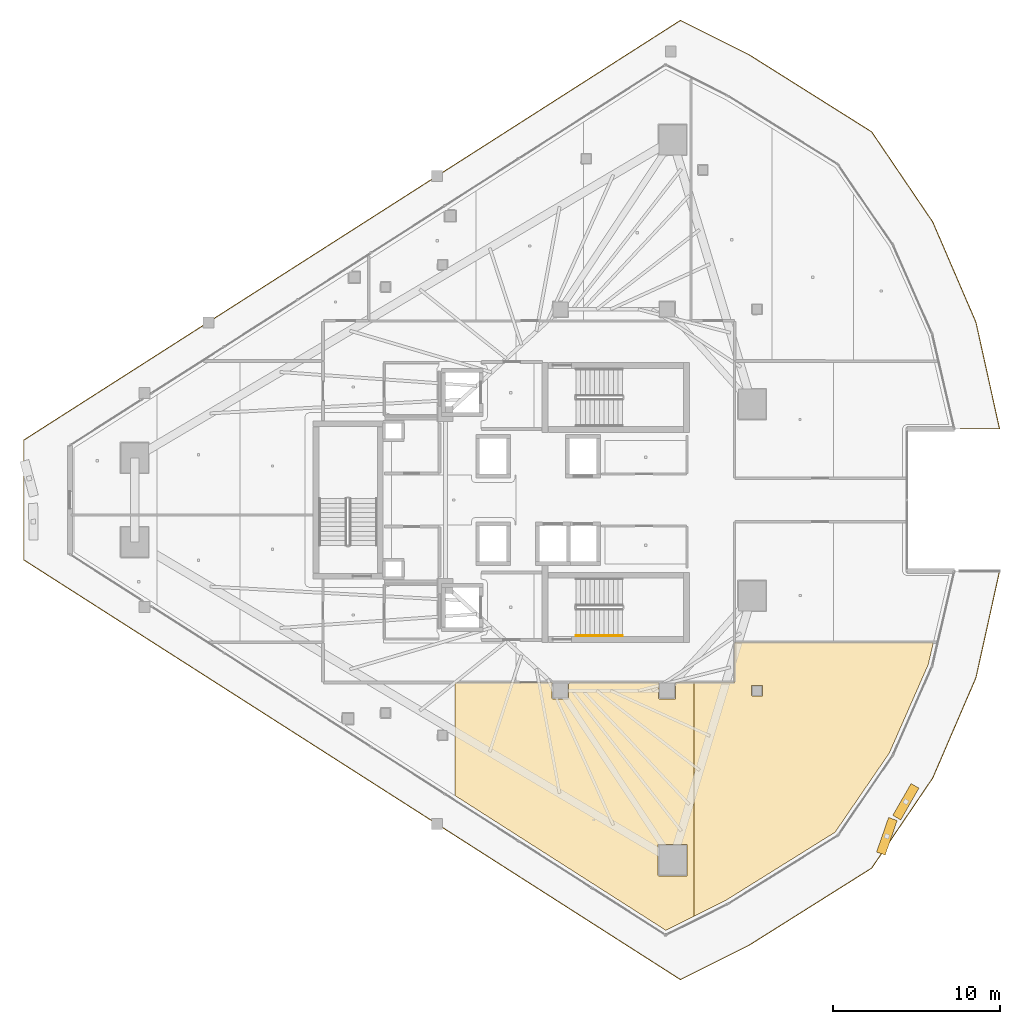
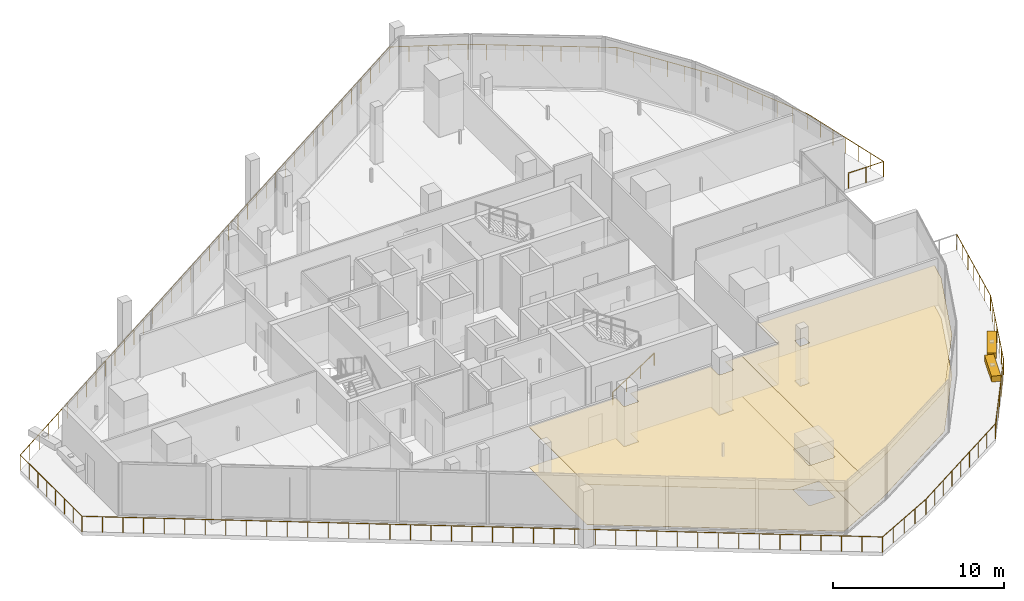
# One storey, part 27 of 30: 4 coverings, 2 railings, 2 shading devices.
"""IFC4 building model written with IfcOpenShell, lengths in metres."""

from ifc_helpers import new_model, si_unit, direction, frame, origin, origin_2d, place, context, subcontext, project, spatial, polyline, rectangle, circle, outline, extrude, material, layer, layer_set, type_object, element, save


model = new_model("IFC4")

# Units and contexts
model_context = context("Model", 3, precision=1e-05, world=origin(), true_north=direction((0.0, 1.0)))
body_context = subcontext(model_context, "Body", "Model", "MODEL_VIEW")
ifc_project = project(units=[si_unit("LENGTHUNIT", "METRE"), si_unit("AREAUNIT", "SQUARE_METRE"), si_unit("VOLUMEUNIT", "CUBIC_METRE"), si_unit("PLANEANGLEUNIT", "RADIAN"), si_unit("MASSUNIT", "GRAM", prefix="KILO")], contexts=[model_context])

# Site, building, storey
site_placement = place(None, origin())
site = spatial("IfcSite", under=ifc_project, at=site_placement, CompositionType="ELEMENT")
building_placement = place(site_placement, origin())
building = spatial("IfcBuilding", under=site, at=building_placement, Name="Qorvath Tower", CompositionType="ELEMENT")
storey_placement = place(building_placement, frame((0.0, 0.0, 217.199951171875)))
storey = spatial("IfcBuildingStorey", under=building, at=storey_placement, Name="L50", CompositionType="ELEMENT", Elevation=217.199951171875)

# Coverings
ifc_material_1 = material(Name="Acoustic mineral fibre ceiling tile", Category="gypsum")
ifc_layer_1 = layer(ifc_material_1, 0.030029296875)
ifc_layer_set_1 = layer_set([ifc_layer_1], Name="COV-CEIL")
covering_type_1 = type_object("IfcCoveringType", Name="COV-CEIL", PredefinedType="CEILING", material=ifc_layer_set_1)
covering_1_placement = place(storey_placement, frame((0.0, 0.0, 2.85009765625)))
element("IfcCovering", 1, at=covering_1_placement, inside=storey, type_object=covering_type_1, Name="L50 Suspended Acoustic Ceiling 020", PredefinedType="CEILING", context=body_context, shape_type="SweptSolid", body=[
    extrude(outline(polyline([(-15.579345703125, -24.994873046875), (-15.579345703125, -10.962890625), (-16.705322265625, -10.962890625), (-16.70751953125, -11.9423828125), (-17.64990234375, -11.9599609375), (-17.7099609375, -11.89990234375), (-17.694580078125, -10.962890625), (-23.105224609375, -10.962890625), (-23.107666015625, -11.9423828125), (-24.050048828125, -11.9599609375), (-24.110107421875, -11.89990234375), (-24.0947265625, -10.962890625), (-29.949951171875, -10.962890625), (-29.949951171875, -17.739501953125), (-17.273193359375, -25.841796875), (-15.579345703125, -24.994873046875)]), holes=[polyline([(-17.756591796875, -22.527099609375), (-17.739013671875, -20.6845703125), (-16.00439453125, -20.6845703125), (-16.00439453125, -22.569580078125), (-17.69677734375, -22.587158203125), (-17.756591796875, -22.527099609375)])]), origin(), (0.0, 0.0, 1.0), 0.030029296875),
])
covering_2_placement = place(storey_placement, frame((0.0, 0.0, 2.85009765625)))
element("IfcCovering", 2, at=covering_2_placement, inside=storey, type_object=covering_type_1, Name="L50 Suspended Acoustic Ceiling 021", PredefinedType="CEILING", context=body_context, shape_type="SweptSolid", body=[
    extrude(outline(polyline([(-13.6796875, -24.044921875), (-7.109619140625, -19.949462890625), (-3.853515625, -15.191162109375), (-1.519287109375, -9.886474609375), (-1.208984375, -8.554931640625), (-13.136962890625, -8.554931640625), (-13.14208984375, -10.962890625), (-15.579345703125, -10.962890625), (-15.579345703125, -24.994873046875), (-13.6796875, -24.044921875)]), holes=[polyline([(-12.135009765625, -11.72509765625), (-12.117431640625, -11.132568359375), (-11.482666015625, -11.132568359375), (-11.482666015625, -11.767333984375), (-12.074951171875, -11.784912109375), (-12.135009765625, -11.72509765625)])]), origin(), (0.0, 0.0, 1.0), 0.030029296875),
])
ifc_material_2 = material(Name="Low-VOC modular carpet tile", Category="textile")
ifc_layer_2 = layer(ifc_material_2, 0.014892578125)
ifc_layer_set_2 = layer_set([ifc_layer_2], Name="COV-FLOOR-CPT")
covering_type_2 = type_object("IfcCoveringType", Name="COV-FLOOR-CPT", PredefinedType="FLOORING", material=ifc_layer_set_2)
covering_3_placement = place(storey_placement, origin())
element("IfcCovering", 3, at=covering_3_placement, inside=storey, type_object=covering_type_2, Name="L50 Floor Finish 020", PredefinedType="FLOORING", context=body_context, shape_type="SweptSolid", body=[
    extrude(outline(polyline([(-15.579345703125, -24.994873046875), (-15.579345703125, -10.962890625), (-16.705322265625, -10.962890625), (-16.70751953125, -11.9423828125), (-17.64990234375, -11.9599609375), (-17.7099609375, -11.89990234375), (-17.694580078125, -10.962890625), (-23.105224609375, -10.962890625), (-23.107666015625, -11.9423828125), (-24.050048828125, -11.9599609375), (-24.110107421875, -11.89990234375), (-24.0947265625, -10.962890625), (-29.949951171875, -10.962890625), (-29.949951171875, -17.739501953125), (-17.273193359375, -25.841796875), (-15.579345703125, -24.994873046875)]), holes=[polyline([(-17.756591796875, -22.527099609375), (-17.739013671875, -20.6845703125), (-16.00439453125, -20.6845703125), (-16.00439453125, -22.569580078125), (-17.69677734375, -22.587158203125), (-17.756591796875, -22.527099609375)])]), origin(), (0.0, 0.0, 1.0), 0.01513671875),
])
covering_4_placement = place(storey_placement, origin())
element("IfcCovering", 4, at=covering_4_placement, inside=storey, type_object=covering_type_2, Name="L50 Floor Finish 021", PredefinedType="FLOORING", context=body_context, shape_type="SweptSolid", body=[
    extrude(outline(polyline([(-13.6796875, -24.044921875), (-7.109619140625, -19.949462890625), (-3.853515625, -15.191162109375), (-1.519287109375, -9.886474609375), (-1.208984375, -8.554931640625), (-13.136962890625, -8.554931640625), (-13.14208984375, -10.962890625), (-15.579345703125, -10.962890625), (-15.579345703125, -24.994873046875), (-13.6796875, -24.044921875)]), holes=[polyline([(-12.135009765625, -11.72509765625), (-12.117431640625, -11.132568359375), (-11.482666015625, -11.132568359375), (-11.482666015625, -11.767333984375), (-12.074951171875, -11.784912109375), (-12.135009765625, -11.72509765625)])]), origin(), (0.0, 0.0, 1.0), 0.01513671875),
])

# Railings
ifc_material_3 = material(Name="Laminated safety glass and stainless steel AISI 316", Category="steel")
railing_type_1 = type_object("IfcRailingType", Name="RL-EXT-GRD", PredefinedType="GUARDRAIL", material=ifc_material_3)
railing_1_placement = place(storey_placement, frame((2.76611328125, -4.27685546875, 0.0)))
element("IfcRailing", 5, at=railing_1_placement, inside=storey, type_object=railing_type_1, Name="Loggia Perimeter Guardrail L50-1.1", PredefinedType="GUARDRAIL", context=body_context, shape_type="SweptSolid", body=[
    extrude(circle(Radius=0.02392578125, at=origin_2d()), frame((0.0, 0.0, 1.09619140625), z_axis=(-0.216105421609, -0.976370035771, 0.0), x_axis=(0.976370035771, -0.216105421609, 0.0)), (0.0, 0.0, 1.0), 6.549072265625),
    extrude(circle(Radius=0.02392578125, at=origin_2d()), frame((-1.415283203125, -6.394287109375, 1.09619140625), z_axis=(-0.395488925139, -0.918470745365, 0.0), x_axis=(0.918470745365, -0.395488925139, 0.0)), (0.0, 0.0, 1.0), 6.549072265625),
    extrude(circle(Radius=0.02392578125, at=origin_2d()), frame((-4.00537109375, -12.409423828125, 1.09619140625), z_axis=(-0.560810228442, -0.827944374747, 0.0), x_axis=(0.827944374747, -0.560810228442, 0.0)), (0.0, 0.0, 1.0), 6.549072265625),
    extrude(circle(Radius=0.02392578125, at=origin_2d()), frame((-7.67822265625, -17.831787109375, 1.09619140625), z_axis=(-0.84649722709, -0.532393129678, 0.0), x_axis=(0.532393129678, -0.84649722709, 0.0)), (0.0, 0.0, 1.0), 8.709228515625),
    extrude(circle(Radius=0.02392578125, at=origin_2d()), frame((-15.050537109375, -22.468505859375, 1.09619140625), z_axis=(-0.894427191, -0.4472135955, 0.0), x_axis=(0.4472135955, -0.894427191, 0.0)), (0.0, 0.0, 1.0), 4.600341796875),
    extrude(circle(Radius=0.02392578125, at=origin_2d()), frame((-19.165283203125, -24.52587890625, 1.09619140625), z_axis=(-0.8426027545, 0.538535605237, 0.0), x_axis=(-0.538535605237, -0.8426027545, 0.0)), (0.0, 0.0, 1.0), 46.798095703125),
    extrude(circle(Radius=0.02392578125, at=origin_2d()), frame((-58.597412109375, 0.676513671875, 1.09619140625), z_axis=(0.0, 1.0, 0.0), x_axis=(-1.0, 0.0, 0.0)), (0.0, 0.0, 1.0), 7.20068359375),
    extrude(circle(Radius=0.02392578125, at=origin_2d()), frame((-58.597412109375, 7.877197265625, 1.09619140625), z_axis=(0.8426027545, 0.538535605237, 0.0), x_axis=(-0.538535605237, 0.8426027545, 0.0)), (0.0, 0.0, 1.0), 46.798095703125),
    extrude(circle(Radius=0.02392578125, at=origin_2d()), frame((-19.165283203125, 33.07958984375, 1.09619140625), z_axis=(0.894427191, -0.4472135955, 0.0), x_axis=(0.4472135955, 0.894427191, 0.0)), (0.0, 0.0, 1.0), 4.600341796875),
    extrude(circle(Radius=0.02392578125, at=origin_2d()), frame((-15.050537109375, 31.022216796875, 1.09619140625), z_axis=(0.84649722709, -0.532393129678, 0.0), x_axis=(0.532393129678, 0.84649722709, 0.0)), (0.0, 0.0, 1.0), 8.709228515625),
    extrude(circle(Radius=0.02392578125, at=origin_2d()), frame((-7.67822265625, 26.385498046875, 1.09619140625), z_axis=(0.560810228442, -0.827944374747, 0.0), x_axis=(0.827944374747, 0.560810228442, 0.0)), (0.0, 0.0, 1.0), 6.549072265625),
    extrude(circle(Radius=0.02392578125, at=origin_2d()), frame((-4.00537109375, 20.963134765625, 1.09619140625), z_axis=(0.395488925139, -0.918470745365, 0.0), x_axis=(0.918470745365, 0.395488925139, 0.0)), (0.0, 0.0, 1.0), 6.549072265625),
    extrude(circle(Radius=0.02392578125, at=origin_2d()), frame((-1.415283203125, 14.947998046875, 1.09619140625), z_axis=(0.216105421609, -0.976370035771, 0.0), x_axis=(0.976370035771, 0.216105421609, 0.0)), (0.0, 0.0, 1.0), 6.549072265625),
    extrude(circle(Radius=0.02392578125, at=origin_2d()), frame((0.0, 8.5537109375, 1.09619140625), z_axis=(-1.0, 0.0, 0.0), x_axis=(0.0, -1.0, 0.0)), (0.0, 0.0, 1.0), 2.366943359375),
    extrude(circle(Radius=0.02099609375, at=origin_2d()), origin(), (0.0, 0.0, 1.0), 1.072021484375),
    extrude(circle(Radius=0.02099609375, at=origin_2d()), frame((-0.23583984375, -1.065673828125, 0.0)), (0.0, 0.0, 1.0), 1.072021484375),
    extrude(circle(Radius=0.02099609375, at=origin_2d()), frame((-0.4716796875, -2.13134765625, 0.0)), (0.0, 0.0, 1.0), 1.072021484375),
    extrude(circle(Radius=0.02099609375, at=origin_2d()), frame((-0.70751953125, -3.197265625, 0.0)), (0.0, 0.0, 1.0), 1.072021484375),
    extrude(circle(Radius=0.02099609375, at=origin_2d()), frame((-0.943603515625, -4.262939453125, 0.0)), (0.0, 0.0, 1.0), 1.072021484375),
    extrude(circle(Radius=0.02099609375, at=origin_2d()), frame((-1.179443359375, -5.32861328125, 0.0)), (0.0, 0.0, 1.0), 1.072021484375),
    extrude(circle(Radius=0.02099609375, at=origin_2d()), frame((-1.415283203125, -6.394287109375, 0.0)), (0.0, 0.0, 1.0), 1.072021484375),
    extrude(circle(Radius=0.02099609375, at=origin_2d()), frame((-1.846923828125, -7.396728515625, 0.0)), (0.0, 0.0, 1.0), 1.072021484375),
    extrude(circle(Radius=0.02099609375, at=origin_2d()), frame((-2.278564453125, -8.3994140625, 0.0)), (0.0, 0.0, 1.0), 1.072021484375),
    extrude(circle(Radius=0.02099609375, at=origin_2d()), frame((-2.71044921875, -9.40185546875, 0.0)), (0.0, 0.0, 1.0), 1.072021484375),
    extrude(circle(Radius=0.02099609375, at=origin_2d()), frame((-3.14208984375, -10.404296875, 0.0)), (0.0, 0.0, 1.0), 1.072021484375),
    extrude(circle(Radius=0.02099609375, at=origin_2d()), frame((-3.57373046875, -11.406982421875, 0.0)), (0.0, 0.0, 1.0), 1.072021484375),
    extrude(circle(Radius=0.02099609375, at=origin_2d()), frame((-4.00537109375, -12.409423828125, 0.0)), (0.0, 0.0, 1.0), 1.072021484375),
    extrude(circle(Radius=0.02099609375, at=origin_2d()), frame((-4.617431640625, -13.313232421875, 0.0)), (0.0, 0.0, 1.0), 1.072021484375),
    extrude(circle(Radius=0.02099609375, at=origin_2d()), frame((-5.229736328125, -14.216796875, 0.0)), (0.0, 0.0, 1.0), 1.072021484375),
    extrude(circle(Radius=0.02099609375, at=origin_2d()), frame((-5.841796875, -15.12060546875, 0.0)), (0.0, 0.0, 1.0), 1.072021484375),
    extrude(circle(Radius=0.02099609375, at=origin_2d()), frame((-6.453857421875, -16.0244140625, 0.0)), (0.0, 0.0, 1.0), 1.072021484375),
    extrude(circle(Radius=0.02099609375, at=origin_2d()), frame((-7.066162109375, -16.927978515625, 0.0)), (0.0, 0.0, 1.0), 1.072021484375),
    extrude(circle(Radius=0.02099609375, at=origin_2d()), frame((-7.67822265625, -17.831787109375, 0.0)), (0.0, 0.0, 1.0), 1.072021484375),
    extrude(circle(Radius=0.02099609375, at=origin_2d()), frame((-8.599853515625, -18.411376953125, 0.0)), (0.0, 0.0, 1.0), 1.072021484375),
    extrude(circle(Radius=0.02099609375, at=origin_2d()), frame((-9.521240234375, -18.990966796875, 0.0)), (0.0, 0.0, 1.0), 1.072021484375),
    extrude(circle(Radius=0.02099609375, at=origin_2d()), frame((-10.44287109375, -19.570556640625, 0.0)), (0.0, 0.0, 1.0), 1.072021484375),
    extrude(circle(Radius=0.02099609375, at=origin_2d()), frame((-11.3642578125, -20.150146484375, 0.0)), (0.0, 0.0, 1.0), 1.072021484375),
    extrude(circle(Radius=0.02099609375, at=origin_2d()), frame((-12.285888671875, -20.729736328125, 0.0)), (0.0, 0.0, 1.0), 1.072021484375),
    extrude(circle(Radius=0.02099609375, at=origin_2d()), frame((-13.20751953125, -21.309326171875, 0.0)), (0.0, 0.0, 1.0), 1.072021484375),
    extrude(circle(Radius=0.02099609375, at=origin_2d()), frame((-14.12890625, -21.888916015625, 0.0)), (0.0, 0.0, 1.0), 1.072021484375),
    extrude(circle(Radius=0.02099609375, at=origin_2d()), frame((-15.050537109375, -22.468505859375, 0.0)), (0.0, 0.0, 1.0), 1.072021484375),
    extrude(circle(Radius=0.02099609375, at=origin_2d()), frame((-16.0791015625, -22.98291015625, 0.0)), (0.0, 0.0, 1.0), 1.072021484375),
    extrude(circle(Radius=0.02099609375, at=origin_2d()), frame((-17.10791015625, -23.4970703125, 0.0)), (0.0, 0.0, 1.0), 1.072021484375),
    extrude(circle(Radius=0.02099609375, at=origin_2d()), frame((-18.13671875, -24.011474609375, 0.0)), (0.0, 0.0, 1.0), 1.072021484375),
    extrude(circle(Radius=0.02099609375, at=origin_2d()), frame((-19.165283203125, -24.52587890625, 0.0)), (0.0, 0.0, 1.0), 1.072021484375),
    extrude(circle(Radius=0.02099609375, at=origin_2d()), frame((-20.17626953125, -23.879638671875, 0.0)), (0.0, 0.0, 1.0), 1.072021484375),
    extrude(circle(Radius=0.02099609375, at=origin_2d()), frame((-21.1875, -23.2333984375, 0.0)), (0.0, 0.0, 1.0), 1.072021484375),
    extrude(circle(Radius=0.02099609375, at=origin_2d()), frame((-22.198486328125, -22.587158203125, 0.0)), (0.0, 0.0, 1.0), 1.072021484375),
    extrude(circle(Radius=0.02099609375, at=origin_2d()), frame((-23.209716796875, -21.94091796875, 0.0)), (0.0, 0.0, 1.0), 1.072021484375),
    extrude(circle(Radius=0.02099609375, at=origin_2d()), frame((-24.220703125, -21.294921875, 0.0)), (0.0, 0.0, 1.0), 1.072021484375),
    extrude(circle(Radius=0.02099609375, at=origin_2d()), frame((-25.231689453125, -20.648681640625, 0.0)), (0.0, 0.0, 1.0), 1.072021484375),
    extrude(circle(Radius=0.02099609375, at=origin_2d()), frame((-26.242919921875, -20.00244140625, 0.0)), (0.0, 0.0, 1.0), 1.072021484375),
    extrude(circle(Radius=0.02099609375, at=origin_2d()), frame((-27.25390625, -19.356201171875, 0.0)), (0.0, 0.0, 1.0), 1.072021484375),
    extrude(circle(Radius=0.02099609375, at=origin_2d()), frame((-28.264892578125, -18.7099609375, 0.0)), (0.0, 0.0, 1.0), 1.072021484375),
    extrude(circle(Radius=0.02099609375, at=origin_2d()), frame((-29.276123046875, -18.063720703125, 0.0)), (0.0, 0.0, 1.0), 1.072021484375),
    extrude(circle(Radius=0.02099609375, at=origin_2d()), frame((-30.287109375, -17.41748046875, 0.0)), (0.0, 0.0, 1.0), 1.072021484375),
    extrude(circle(Radius=0.02099609375, at=origin_2d()), frame((-31.29833984375, -16.771240234375, 0.0)), (0.0, 0.0, 1.0), 1.072021484375),
    extrude(circle(Radius=0.02099609375, at=origin_2d()), frame((-32.309326171875, -16.125, 0.0)), (0.0, 0.0, 1.0), 1.072021484375),
    extrude(circle(Radius=0.02099609375, at=origin_2d()), frame((-33.3203125, -15.478759765625, 0.0)), (0.0, 0.0, 1.0), 1.072021484375),
    extrude(circle(Radius=0.02099609375, at=origin_2d()), frame((-34.33154296875, -14.832763671875, 0.0)), (0.0, 0.0, 1.0), 1.072021484375),
    extrude(circle(Radius=0.02099609375, at=origin_2d()), frame((-35.342529296875, -14.1865234375, 0.0)), (0.0, 0.0, 1.0), 1.072021484375),
    extrude(circle(Radius=0.02099609375, at=origin_2d()), frame((-36.353759765625, -13.540283203125, 0.0)), (0.0, 0.0, 1.0), 1.072021484375),
    extrude(circle(Radius=0.02099609375, at=origin_2d()), frame((-37.36474609375, -12.89404296875, 0.0)), (0.0, 0.0, 1.0), 1.072021484375),
    extrude(circle(Radius=0.02099609375, at=origin_2d()), frame((-38.375732421875, -12.247802734375, 0.0)), (0.0, 0.0, 1.0), 1.072021484375),
    extrude(circle(Radius=0.02099609375, at=origin_2d()), frame((-39.386962890625, -11.6015625, 0.0)), (0.0, 0.0, 1.0), 1.072021484375),
    extrude(circle(Radius=0.02099609375, at=origin_2d()), frame((-40.39794921875, -10.955322265625, 0.0)), (0.0, 0.0, 1.0), 1.072021484375),
    extrude(circle(Radius=0.02099609375, at=origin_2d()), frame((-41.408935546875, -10.30908203125, 0.0)), (0.0, 0.0, 1.0), 1.072021484375),
    extrude(circle(Radius=0.02099609375, at=origin_2d()), frame((-42.420166015625, -9.662841796875, 0.0)), (0.0, 0.0, 1.0), 1.072021484375),
    extrude(circle(Radius=0.02099609375, at=origin_2d()), frame((-43.43115234375, -9.0166015625, 0.0)), (0.0, 0.0, 1.0), 1.072021484375),
    extrude(circle(Radius=0.02099609375, at=origin_2d()), frame((-44.4423828125, -8.37060546875, 0.0)), (0.0, 0.0, 1.0), 1.072021484375),
    extrude(circle(Radius=0.02099609375, at=origin_2d()), frame((-45.453369140625, -7.724365234375, 0.0)), (0.0, 0.0, 1.0), 1.072021484375),
    extrude(circle(Radius=0.02099609375, at=origin_2d()), frame((-46.46435546875, -7.078125, 0.0)), (0.0, 0.0, 1.0), 1.072021484375),
    extrude(circle(Radius=0.02099609375, at=origin_2d()), frame((-47.4755859375, -6.431884765625, 0.0)), (0.0, 0.0, 1.0), 1.072021484375),
    extrude(circle(Radius=0.02099609375, at=origin_2d()), frame((-48.486572265625, -5.78564453125, 0.0)), (0.0, 0.0, 1.0), 1.072021484375),
    extrude(circle(Radius=0.02099609375, at=origin_2d()), frame((-49.497802734375, -5.139404296875, 0.0)), (0.0, 0.0, 1.0), 1.072021484375),
    extrude(circle(Radius=0.02099609375, at=origin_2d()), frame((-50.5087890625, -4.4931640625, 0.0)), (0.0, 0.0, 1.0), 1.072021484375),
    extrude(circle(Radius=0.02099609375, at=origin_2d()), frame((-51.519775390625, -3.846923828125, 0.0)), (0.0, 0.0, 1.0), 1.072021484375),
    extrude(circle(Radius=0.02099609375, at=origin_2d()), frame((-52.531005859375, -3.20068359375, 0.0)), (0.0, 0.0, 1.0), 1.072021484375),
    extrude(circle(Radius=0.02099609375, at=origin_2d()), frame((-53.5419921875, -2.554443359375, 0.0)), (0.0, 0.0, 1.0), 1.072021484375),
    extrude(circle(Radius=0.02099609375, at=origin_2d()), frame((-54.552978515625, -1.908447265625, 0.0)), (0.0, 0.0, 1.0), 1.072021484375),
    extrude(circle(Radius=0.02099609375, at=origin_2d()), frame((-55.564208984375, -1.26220703125, 0.0)), (0.0, 0.0, 1.0), 1.072021484375),
    extrude(circle(Radius=0.02099609375, at=origin_2d()), frame((-56.5751953125, -0.615966796875, 0.0)), (0.0, 0.0, 1.0), 1.072021484375),
    extrude(circle(Radius=0.02099609375, at=origin_2d()), frame((-57.58642578125, 0.0302734375, 0.0)), (0.0, 0.0, 1.0), 1.072021484375),
    extrude(circle(Radius=0.02099609375, at=origin_2d()), frame((-58.597412109375, 0.676513671875, 0.0)), (0.0, 0.0, 1.0), 1.072021484375),
    extrude(circle(Radius=0.02099609375, at=origin_2d()), frame((-58.597412109375, 1.705078125, 0.0)), (0.0, 0.0, 1.0), 1.072021484375),
    extrude(circle(Radius=0.02099609375, at=origin_2d()), frame((-58.597412109375, 2.73388671875, 0.0)), (0.0, 0.0, 1.0), 1.072021484375),
    extrude(circle(Radius=0.02099609375, at=origin_2d()), frame((-58.597412109375, 3.762451171875, 0.0)), (0.0, 0.0, 1.0), 1.072021484375),
    extrude(circle(Radius=0.02099609375, at=origin_2d()), frame((-58.597412109375, 4.791259765625, 0.0)), (0.0, 0.0, 1.0), 1.072021484375),
    extrude(circle(Radius=0.02099609375, at=origin_2d()), frame((-58.597412109375, 5.81982421875, 0.0)), (0.0, 0.0, 1.0), 1.072021484375),
    extrude(circle(Radius=0.02099609375, at=origin_2d()), frame((-58.597412109375, 6.8486328125, 0.0)), (0.0, 0.0, 1.0), 1.072021484375),
    extrude(circle(Radius=0.02099609375, at=origin_2d()), frame((-58.597412109375, 7.877197265625, 0.0)), (0.0, 0.0, 1.0), 1.072021484375),
    extrude(circle(Radius=0.02099609375, at=origin_2d()), frame((-57.58642578125, 8.5234375, 0.0)), (0.0, 0.0, 1.0), 1.072021484375),
    extrude(circle(Radius=0.02099609375, at=origin_2d()), frame((-56.5751953125, 9.169677734375, 0.0)), (0.0, 0.0, 1.0), 1.072021484375),
    extrude(circle(Radius=0.02099609375, at=origin_2d()), frame((-55.564208984375, 9.81591796875, 0.0)), (0.0, 0.0, 1.0), 1.072021484375),
    extrude(circle(Radius=0.02099609375, at=origin_2d()), frame((-54.552978515625, 10.462158203125, 0.0)), (0.0, 0.0, 1.0), 1.072021484375),
    extrude(circle(Radius=0.02099609375, at=origin_2d()), frame((-53.5419921875, 11.108154296875, 0.0)), (0.0, 0.0, 1.0), 1.072021484375),
    extrude(circle(Radius=0.02099609375, at=origin_2d()), frame((-52.531005859375, 11.75439453125, 0.0)), (0.0, 0.0, 1.0), 1.072021484375),
    extrude(circle(Radius=0.02099609375, at=origin_2d()), frame((-51.519775390625, 12.400634765625, 0.0)), (0.0, 0.0, 1.0), 1.072021484375),
    extrude(circle(Radius=0.02099609375, at=origin_2d()), frame((-50.5087890625, 13.046875, 0.0)), (0.0, 0.0, 1.0), 1.072021484375),
    extrude(circle(Radius=0.02099609375, at=origin_2d()), frame((-49.497802734375, 13.693115234375, 0.0)), (0.0, 0.0, 1.0), 1.072021484375),
    extrude(circle(Radius=0.02099609375, at=origin_2d()), frame((-48.486572265625, 14.33935546875, 0.0)), (0.0, 0.0, 1.0), 1.072021484375),
    extrude(circle(Radius=0.02099609375, at=origin_2d()), frame((-47.4755859375, 14.985595703125, 0.0)), (0.0, 0.0, 1.0), 1.072021484375),
    extrude(circle(Radius=0.02099609375, at=origin_2d()), frame((-46.46435546875, 15.6318359375, 0.0)), (0.0, 0.0, 1.0), 1.072021484375),
    extrude(circle(Radius=0.02099609375, at=origin_2d()), frame((-45.453369140625, 16.278076171875, 0.0)), (0.0, 0.0, 1.0), 1.072021484375),
    extrude(circle(Radius=0.02099609375, at=origin_2d()), frame((-44.4423828125, 16.92431640625, 0.0)), (0.0, 0.0, 1.0), 1.072021484375),
    extrude(circle(Radius=0.02099609375, at=origin_2d()), frame((-43.43115234375, 17.5703125, 0.0)), (0.0, 0.0, 1.0), 1.072021484375),
    extrude(circle(Radius=0.02099609375, at=origin_2d()), frame((-42.420166015625, 18.216552734375, 0.0)), (0.0, 0.0, 1.0), 1.072021484375),
    extrude(circle(Radius=0.02099609375, at=origin_2d()), frame((-41.408935546875, 18.86279296875, 0.0)), (0.0, 0.0, 1.0), 1.072021484375),
    extrude(circle(Radius=0.02099609375, at=origin_2d()), frame((-40.39794921875, 19.509033203125, 0.0)), (0.0, 0.0, 1.0), 1.072021484375),
    extrude(circle(Radius=0.02099609375, at=origin_2d()), frame((-39.386962890625, 20.1552734375, 0.0)), (0.0, 0.0, 1.0), 1.072021484375),
    extrude(circle(Radius=0.02099609375, at=origin_2d()), frame((-38.375732421875, 20.801513671875, 0.0)), (0.0, 0.0, 1.0), 1.072021484375),
    extrude(circle(Radius=0.02099609375, at=origin_2d()), frame((-37.36474609375, 21.44775390625, 0.0)), (0.0, 0.0, 1.0), 1.072021484375),
    extrude(circle(Radius=0.02099609375, at=origin_2d()), frame((-36.353759765625, 22.093994140625, 0.0)), (0.0, 0.0, 1.0), 1.072021484375),
    extrude(circle(Radius=0.02099609375, at=origin_2d()), frame((-35.342529296875, 22.740234375, 0.0)), (0.0, 0.0, 1.0), 1.072021484375),
    extrude(circle(Radius=0.02099609375, at=origin_2d()), frame((-34.33154296875, 23.386474609375, 0.0)), (0.0, 0.0, 1.0), 1.072021484375),
    extrude(circle(Radius=0.02099609375, at=origin_2d()), frame((-33.3203125, 24.032470703125, 0.0)), (0.0, 0.0, 1.0), 1.072021484375),
    extrude(circle(Radius=0.02099609375, at=origin_2d()), frame((-32.309326171875, 24.6787109375, 0.0)), (0.0, 0.0, 1.0), 1.072021484375),
    extrude(circle(Radius=0.02099609375, at=origin_2d()), frame((-31.29833984375, 25.324951171875, 0.0)), (0.0, 0.0, 1.0), 1.072021484375),
    extrude(circle(Radius=0.02099609375, at=origin_2d()), frame((-30.287109375, 25.97119140625, 0.0)), (0.0, 0.0, 1.0), 1.072021484375),
    extrude(circle(Radius=0.02099609375, at=origin_2d()), frame((-29.276123046875, 26.617431640625, 0.0)), (0.0, 0.0, 1.0), 1.072021484375),
    extrude(circle(Radius=0.02099609375, at=origin_2d()), frame((-28.264892578125, 27.263671875, 0.0)), (0.0, 0.0, 1.0), 1.072021484375),
    extrude(circle(Radius=0.02099609375, at=origin_2d()), frame((-27.25390625, 27.909912109375, 0.0)), (0.0, 0.0, 1.0), 1.072021484375),
    extrude(circle(Radius=0.02099609375, at=origin_2d()), frame((-26.242919921875, 28.55615234375, 0.0)), (0.0, 0.0, 1.0), 1.072021484375),
    extrude(circle(Radius=0.02099609375, at=origin_2d()), frame((-25.231689453125, 29.202392578125, 0.0)), (0.0, 0.0, 1.0), 1.072021484375),
    extrude(circle(Radius=0.02099609375, at=origin_2d()), frame((-24.220703125, 29.8486328125, 0.0)), (0.0, 0.0, 1.0), 1.072021484375),
    extrude(circle(Radius=0.02099609375, at=origin_2d()), frame((-23.209716796875, 30.49462890625, 0.0)), (0.0, 0.0, 1.0), 1.072021484375),
    extrude(circle(Radius=0.02099609375, at=origin_2d()), frame((-22.198486328125, 31.140869140625, 0.0)), (0.0, 0.0, 1.0), 1.072021484375),
    extrude(circle(Radius=0.02099609375, at=origin_2d()), frame((-21.1875, 31.787109375, 0.0)), (0.0, 0.0, 1.0), 1.072021484375),
    extrude(circle(Radius=0.02099609375, at=origin_2d()), frame((-20.17626953125, 32.433349609375, 0.0)), (0.0, 0.0, 1.0), 1.072021484375),
    extrude(circle(Radius=0.02099609375, at=origin_2d()), frame((-19.165283203125, 33.07958984375, 0.0)), (0.0, 0.0, 1.0), 1.072021484375),
    extrude(circle(Radius=0.02099609375, at=origin_2d()), frame((-18.13671875, 32.565185546875, 0.0)), (0.0, 0.0, 1.0), 1.072021484375),
    extrude(circle(Radius=0.02099609375, at=origin_2d()), frame((-17.10791015625, 32.05078125, 0.0)), (0.0, 0.0, 1.0), 1.072021484375),
    extrude(circle(Radius=0.02099609375, at=origin_2d()), frame((-16.0791015625, 31.53662109375, 0.0)), (0.0, 0.0, 1.0), 1.072021484375),
    extrude(circle(Radius=0.02099609375, at=origin_2d()), frame((-15.050537109375, 31.022216796875, 0.0)), (0.0, 0.0, 1.0), 1.072021484375),
    extrude(circle(Radius=0.02099609375, at=origin_2d()), frame((-14.12890625, 30.442626953125, 0.0)), (0.0, 0.0, 1.0), 1.072021484375),
    extrude(circle(Radius=0.02099609375, at=origin_2d()), frame((-13.20751953125, 29.863037109375, 0.0)), (0.0, 0.0, 1.0), 1.072021484375),
    extrude(circle(Radius=0.02099609375, at=origin_2d()), frame((-12.285888671875, 29.283447265625, 0.0)), (0.0, 0.0, 1.0), 1.072021484375),
    extrude(circle(Radius=0.02099609375, at=origin_2d()), frame((-11.3642578125, 28.703857421875, 0.0)), (0.0, 0.0, 1.0), 1.072021484375),
    extrude(circle(Radius=0.02099609375, at=origin_2d()), frame((-10.44287109375, 28.124267578125, 0.0)), (0.0, 0.0, 1.0), 1.072021484375),
    extrude(circle(Radius=0.02099609375, at=origin_2d()), frame((-9.521240234375, 27.544677734375, 0.0)), (0.0, 0.0, 1.0), 1.072021484375),
    extrude(circle(Radius=0.02099609375, at=origin_2d()), frame((-8.599853515625, 26.965087890625, 0.0)), (0.0, 0.0, 1.0), 1.072021484375),
    extrude(circle(Radius=0.02099609375, at=origin_2d()), frame((-7.67822265625, 26.385498046875, 0.0)), (0.0, 0.0, 1.0), 1.072021484375),
    extrude(circle(Radius=0.02099609375, at=origin_2d()), frame((-7.066162109375, 25.481689453125, 0.0)), (0.0, 0.0, 1.0), 1.072021484375),
    extrude(circle(Radius=0.02099609375, at=origin_2d()), frame((-6.453857421875, 24.578125, 0.0)), (0.0, 0.0, 1.0), 1.072021484375),
    extrude(circle(Radius=0.02099609375, at=origin_2d()), frame((-5.841796875, 23.67431640625, 0.0)), (0.0, 0.0, 1.0), 1.072021484375),
    extrude(circle(Radius=0.02099609375, at=origin_2d()), frame((-5.229736328125, 22.7705078125, 0.0)), (0.0, 0.0, 1.0), 1.072021484375),
    extrude(circle(Radius=0.02099609375, at=origin_2d()), frame((-4.617431640625, 21.866943359375, 0.0)), (0.0, 0.0, 1.0), 1.072021484375),
    extrude(circle(Radius=0.02099609375, at=origin_2d()), frame((-4.00537109375, 20.963134765625, 0.0)), (0.0, 0.0, 1.0), 1.072021484375),
    extrude(circle(Radius=0.02099609375, at=origin_2d()), frame((-3.57373046875, 19.960693359375, 0.0)), (0.0, 0.0, 1.0), 1.072021484375),
    extrude(circle(Radius=0.02099609375, at=origin_2d()), frame((-3.14208984375, 18.9580078125, 0.0)), (0.0, 0.0, 1.0), 1.072021484375),
    extrude(circle(Radius=0.02099609375, at=origin_2d()), frame((-2.71044921875, 17.95556640625, 0.0)), (0.0, 0.0, 1.0), 1.072021484375),
    extrude(circle(Radius=0.02099609375, at=origin_2d()), frame((-2.278564453125, 16.953125, 0.0)), (0.0, 0.0, 1.0), 1.072021484375),
    extrude(circle(Radius=0.02099609375, at=origin_2d()), frame((-1.846923828125, 15.950439453125, 0.0)), (0.0, 0.0, 1.0), 1.072021484375),
    extrude(circle(Radius=0.02099609375, at=origin_2d()), frame((-1.415283203125, 14.947998046875, 0.0)), (0.0, 0.0, 1.0), 1.072021484375),
    extrude(circle(Radius=0.02099609375, at=origin_2d()), frame((-1.179443359375, 13.88232421875, 0.0)), (0.0, 0.0, 1.0), 1.072021484375),
    extrude(circle(Radius=0.02099609375, at=origin_2d()), frame((-0.943603515625, 12.816650390625, 0.0)), (0.0, 0.0, 1.0), 1.072021484375),
    extrude(circle(Radius=0.02099609375, at=origin_2d()), frame((-0.70751953125, 11.7509765625, 0.0)), (0.0, 0.0, 1.0), 1.072021484375),
    extrude(circle(Radius=0.02099609375, at=origin_2d()), frame((-0.4716796875, 10.68505859375, 0.0)), (0.0, 0.0, 1.0), 1.072021484375),
    extrude(circle(Radius=0.02099609375, at=origin_2d()), frame((-0.23583984375, 9.619384765625, 0.0)), (0.0, 0.0, 1.0), 1.072021484375),
    extrude(circle(Radius=0.02099609375, at=origin_2d()), frame((0.0, 8.5537109375, 0.0)), (0.0, 0.0, 1.0), 1.072021484375),
    extrude(circle(Radius=0.02099609375, at=origin_2d()), frame((-1.18359375, 8.5537109375, 0.0)), (0.0, 0.0, 1.0), 1.072021484375),
    extrude(circle(Radius=0.02099609375, at=origin_2d()), frame((-2.366943359375, 8.5537109375, 0.0)), (0.0, 0.0, 1.0), 1.072021484375),
])
ifc_material_4 = material(Name="Brushed stainless steel AISI 304", Category="steel")
railing_type_2 = type_object("IfcRailingType", Name="RL-STR-HND", PredefinedType="HANDRAIL", material=ifc_material_4)
railing_2_placement = place(storey_placement, frame((-22.669921875, -8.14990234375, 0.18408203125)))
element("IfcRailing", 6, at=railing_2_placement, inside=storey, type_object=railing_type_2, Name="L50 TS2 stair handrail 1", PredefinedType="HANDRAIL", context=body_context, shape_type="SweptSolid", body=[
    extrude(circle(Radius=0.02392578125, at=origin_2d()), frame((0.0, 0.0, 0.8759765625), z_axis=(0.835542071712, 0.0, 0.549426470421), x_axis=(0.0, 1.0, 0.0)), (0.0, 0.0, 1.0), 3.350830078125),
    extrude(circle(Radius=0.02099609375, at=origin_2d()), origin(), (0.0, 0.0, 1.0), 0.851806640625),
    extrude(circle(Radius=0.02099609375, at=origin_2d()), frame((0.933349609375, 0.0, 0.61376953125)), (0.0, 0.0, 1.0), 0.851806640625),
    extrude(circle(Radius=0.02099609375, at=origin_2d()), frame((1.866455078125, 0.0, 1.227294921875)), (0.0, 0.0, 1.0), 0.851806640625),
    extrude(circle(Radius=0.02099609375, at=origin_2d()), frame((2.7998046875, 0.0, 1.841064453125)), (0.0, 0.0, 1.0), 0.851806640625),
])

# Shading devices
ifc_material_5 = material(Name="Anodised bronze-champagne aluminium", Category="aluminium")
shading_device_type = type_object("IfcShadingDeviceType", Name="SD-LOUVRE", PredefinedType="JALOUSIE", material=ifc_material_5)
for number, where, z_axis, x_axis, name in (
    (7, (-4.001708984375, -20.194091796875, 3.360107421875), (0.0, 0.0, 1.0), (0.327686244904, 0.944786602837, 0.0), "Sinusoidal Wave Louvre Blade L50-03"),
    (8, (-2.8603515625, -18.11962890625, 3.360107421875), (0.0, 0.0, 1.0), (0.496419539336, 0.868082738548, 0.0), "Sinusoidal Wave Louvre Blade L50-04"),
):
    element("IfcShadingDevice", number, at=place(storey_placement, frame(where, z_axis=z_axis, x_axis=x_axis)), inside=storey, type_object=shading_device_type, Name=name, PredefinedType="NOTDEFINED", context=body_context, shape_type="SweptSolid", body=[
        extrude(rectangle(XDim=2.199951171875, YDim=0.550048828125, at=origin_2d()), origin(), (0.0, 0.0, 1.0), 0.419921875),
    ])

save(model, "model.ifc")
